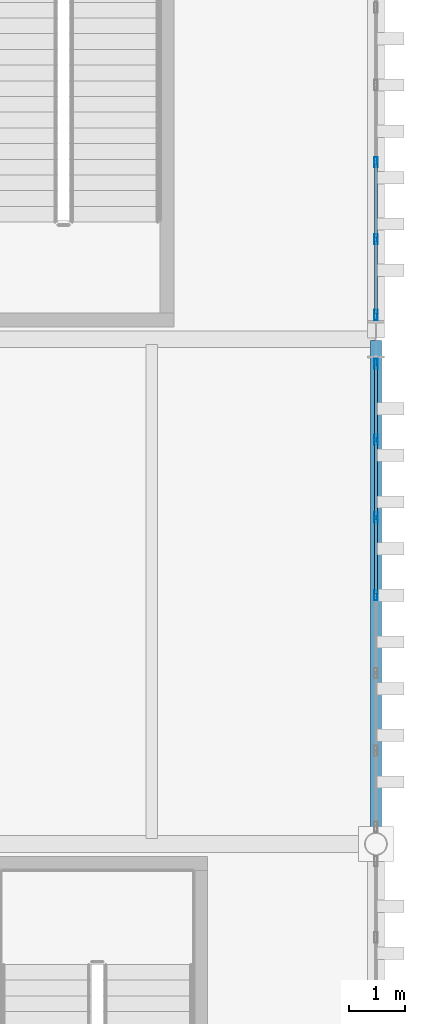
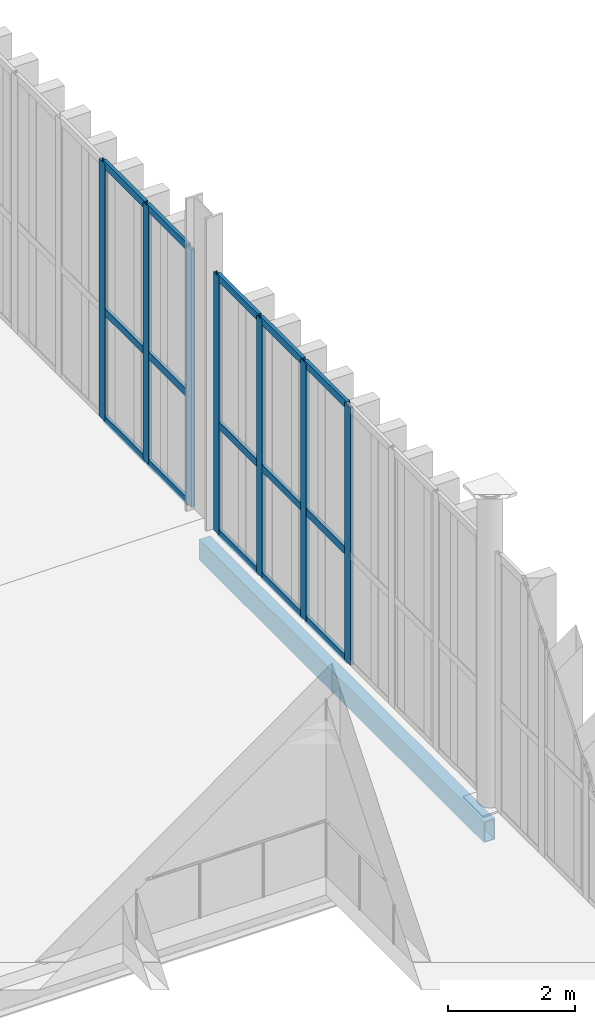
# One storey, part 106 of 211: 22 members, 1 beam, 2 elements without a shape of their own.
"""IFC4 building model written with IfcOpenShell, lengths in metres."""

import ifcopenshell
import ifcopenshell.guid

model = None  # the IFC model being written
_history = None  # IfcOwnerHistory: only IFC2X3 demands one
_inside = {}  # id of a spatial element -> (the spatial element, [elements in it])
_under = {}  # id of a project, library or spatial element -> (it, [spatial elements below it])
_declared = {}  # id of a project -> (the project, [libraries it declares])
_typed = {}  # id of a type object -> (the type object, [elements of that type])
_made_of = {}  # id of a material, layer set ... -> (it, [elements and type objects made of it])


def new_model(schema):
    """Start an empty IFC model of exactly this schema.

    Asked for "IFC4X3", IfcOpenShell would pick the latest addendum, in which some entities
    have other attributes; the version numbers below select the first issue.
    IFC2X3 requires an IfcOwnerHistory on every rooted entity: one is made here for all.
    """
    global model, _history
    if schema == "IFC4X3":
        model = ifcopenshell.file(schema_version=(4, 3, 0, 0))
    else:
        model = ifcopenshell.file(schema=schema)
    _inside.clear()
    _under.clear()
    _declared.clear()
    _typed.clear()
    _made_of.clear()
    _history = None
    if model.schema == "IFC2X3":
        org = make("IfcOrganization", Name="unknown")
        user = make(
            "IfcPersonAndOrganization",
            ThePerson=make("IfcPerson", FamilyName="unknown"),
            TheOrganization=org,
        )
        app = make(
            "IfcApplication",
            ApplicationDeveloper=org,
            Version="unknown",
            ApplicationFullName="unknown",
            ApplicationIdentifier="unknown",
        )
        _history = make(
            "IfcOwnerHistory",
            OwningUser=user,
            OwningApplication=app,
            ChangeAction="ADDED",
            CreationDate=0,
        )
    return model


def make(cls, **values):
    """One entity of the class cls with the attributes given. An attribute that is None is left unset."""
    return model.create_entity(
        cls, **{name: value for name, value in values.items() if value is not None}
    )


def rooted(cls, **values):
    """An entity with a GlobalId (a new one), such as an element, a storey or a relation."""
    return make(cls, GlobalId=ifcopenshell.guid.new(), OwnerHistory=_history, **values)


def si_unit(unit_type, name, prefix=None):
    """IfcSIUnit, for example si_unit("LENGTHUNIT", "METRE", prefix="MILLI")."""
    return make("IfcSIUnit", UnitType=unit_type, Prefix=prefix, Name=name)


def assignment(units):
    """IfcUnitAssignment: the units of a project."""
    return None if units is None else make("IfcUnitAssignment", Units=units)


def point(xyz):
    """IfcCartesianPoint."""
    return None if xyz is None else make("IfcCartesianPoint", Coordinates=xyz)


def direction(xyz):
    """IfcDirection."""
    return None if xyz is None else make("IfcDirection", DirectionRatios=xyz)


def frame(location, z_axis=None, x_axis=None):
    """IfcAxis2Placement3D, a coordinate frame: its origin and axes. An axis left out is left unset."""
    return make(
        "IfcAxis2Placement3D",
        Location=point(location),
        Axis=direction(z_axis),
        RefDirection=direction(x_axis),
    )


def frame_2d(location, x_axis=None):
    """IfcAxis2Placement2D, a coordinate frame in the plane: its origin and x axis."""
    return make(
        "IfcAxis2Placement2D", Location=point(location), RefDirection=direction(x_axis)
    )


def origin():
    """The frame at (0, 0, 0) with its axes left unset."""
    return frame((0.0, 0.0, 0.0))


def origin_2d():
    """The frame at (0, 0) in the plane with its x axis left unset."""
    return frame_2d((0.0, 0.0))


def place(relative_to, where):
    """IfcLocalPlacement: puts the frame where relative to a parent placement (None: the world)."""
    return make(
        "IfcLocalPlacement", PlacementRelTo=relative_to, RelativePlacement=where
    )


def context(
    kind, dimensions, precision=None, world=None, true_north=None, identifier=None
):
    """IfcGeometricRepresentationContext, for example the 3D "Model" context."""
    return make(
        "IfcGeometricRepresentationContext",
        ContextIdentifier=identifier,
        ContextType=kind,
        CoordinateSpaceDimension=dimensions,
        Precision=precision,
        WorldCoordinateSystem=world,
        TrueNorth=true_north,
    )


def subcontext(parent, identifier, kind, view, scale=None):
    """IfcGeometricRepresentationSubContext, for example "Body" below "Model"."""
    return make(
        "IfcGeometricRepresentationSubContext",
        ContextIdentifier=identifier,
        ContextType=kind,
        ParentContext=parent,
        TargetScale=scale,
        TargetView=view,
    )


def project(units=None, contexts=None):
    """IfcProject with its units and contexts."""
    return rooted(
        "IfcProject",
        Name="project",
        RepresentationContexts=contexts,
        UnitsInContext=assignment(units),
    )


def spatial(cls, under=None, at=None, **own):
    """A site, building, storey or space (cls), placed at a placement, below another one or the project."""
    s = rooted(cls, ObjectPlacement=at, **own)
    if under is not None:
        _under.setdefault(under.id(), (under, []))[1].append(s)
    return s


def profile(cls, at=None, kind="AREA", **sizes):
    """A parametric profile (cls). Its sizes go by their IFC names, for example OverallWidth=200.0."""
    return make(cls, ProfileType=kind, Position=at, **sizes)


def hollow_rectangle(**sizes):
    """IfcRectangleHollowProfileDef."""
    return profile("IfcRectangleHollowProfileDef", **sizes)


def extrude(swept, where, along, depth):
    """IfcExtrudedAreaSolid: the profile swept, set in the frame where, extruded along a direction by depth."""
    return make(
        "IfcExtrudedAreaSolid",
        SweptArea=swept,
        Position=where,
        ExtrudedDirection=direction(along),
        Depth=depth,
    )


def shape(context_of_items, identifier, shape_type, items):
    """IfcShapeRepresentation: the items that make up one representation, for example the "Body"."""
    return make(
        "IfcShapeRepresentation",
        ContextOfItems=context_of_items,
        RepresentationIdentifier=identifier,
        RepresentationType=shape_type,
        Items=items,
    )


def material(Name=None, Category=None):
    """IfcMaterial."""
    return make("IfcMaterial", Name=Name, Category=Category)


def layer(
    of_material, thickness, ventilated=None, Name=None, Category=None, Priority=None
):
    """IfcMaterialLayer: one layer of a wall or slab, of a material (None: an air gap)."""
    return make(
        "IfcMaterialLayer",
        Material=of_material,
        LayerThickness=thickness,
        IsVentilated=ventilated,
        Name=Name,
        Category=Category,
        Priority=Priority,
    )


def layer_set(layers, Name=None):
    """IfcMaterialLayerSet."""
    return make("IfcMaterialLayerSet", MaterialLayers=layers, LayerSetName=Name)


def material_profile(
    of_material, cross_section, Name=None, Category=None, Priority=None
):
    """IfcMaterialProfile: a cross section and its material."""
    return make(
        "IfcMaterialProfile",
        Name=Name,
        Material=of_material,
        Profile=cross_section,
        Priority=Priority,
        Category=Category,
    )


def profile_set(profiles, Name=None, composite=None):
    """IfcMaterialProfileSet."""
    return make(
        "IfcMaterialProfileSet",
        Name=Name,
        MaterialProfiles=profiles,
        CompositeProfile=composite,
    )


def made_of(thing, what):
    """Note that an element or type object is made of a material, layer set ...; save() writes the relation."""
    if what is not None:
        _made_of.setdefault(what.id(), (what, []))[1].append(thing)
    return thing


def type_object(cls, material=None, **own):
    """A type object (cls), such as IfcWallType, which elements share."""
    return made_of(rooted(cls, **own), material)


def element(
    cls,
    number,
    at=None,
    inside=None,
    cuts=None,
    type_object=None,
    material=None,
    context=None,
    identifier="Body",
    shape_type=None,
    held_by="IfcProductDefinitionShape",
    body=None,
    shapes=None,
    **own,
):
    """One element of the class cls, such as IfcWall. Its Tag is "e" and its number.

    at: its placement. inside: the storey or other place that contains it. cuts: it is an
    opening in that element (IfcRelVoidsElement). A single representation is given by context,
    identifier, shape_type and body (its items); several are given by shapes. held_by: the class
    of the entity that holds the representations. save() writes the other relations.
    """
    e = rooted(cls, Tag="e%d" % number, ObjectPlacement=at, **own)
    if body is not None:
        shapes = [shape(context, identifier, shape_type, body)]
    if shapes is not None:
        e.Representation = make(held_by, Representations=shapes)
    if inside is not None:
        _inside.setdefault(inside.id(), (inside, []))[1].append(e)
    if cuts is not None:
        rooted(
            "IfcRelVoidsElement", RelatingBuildingElement=cuts, RelatedOpeningElement=e
        )
    if type_object is not None:
        _typed.setdefault(type_object.id(), (type_object, []))[1].append(e)
    return made_of(e, material)


def aggregate(whole, parts):
    """IfcRelAggregates: a whole, such as a stair, and the parts it consists of."""
    return rooted("IfcRelAggregates", RelatingObject=whole, RelatedObjects=parts)


def save(model, path):
    """Write the relations noted so far, then the file.

    IfcRelAggregates (storeys below a building ...), IfcRelContainedInSpatialStructure (elements
    in a storey), IfcRelDefinesByType, IfcRelAssociatesMaterial and IfcRelDeclares: one each for
    every whole, place, type object, material and project.
    """
    for whole, parts in _under.values():
        aggregate(whole, parts)
    for where, things in _inside.values():
        rooted(
            "IfcRelContainedInSpatialStructure",
            RelatedElements=things,
            RelatingStructure=where,
        )
    for kind, things in _typed.values():
        rooted("IfcRelDefinesByType", RelatedObjects=things, RelatingType=kind)
    for what, things in _made_of.values():
        rooted("IfcRelAssociatesMaterial", RelatedObjects=things, RelatingMaterial=what)
    for by, libraries in _declared.values():
        rooted("IfcRelDeclares", RelatingContext=by, RelatedDefinitions=libraries)
    model.write(path)


model = new_model("IFC4")

# Units and contexts
model_context = context("Model", 3, precision=1e-05, world=origin(), true_north=direction((0.0, 1.0)))
body_context = subcontext(model_context, "Body", "Model", "MODEL_VIEW")
ifc_project = project(units=[si_unit("LENGTHUNIT", "METRE"), si_unit("AREAUNIT", "SQUARE_METRE"), si_unit("VOLUMEUNIT", "CUBIC_METRE"), si_unit("PLANEANGLEUNIT", "RADIAN"), si_unit("MASSUNIT", "GRAM", prefix="KILO")], contexts=[model_context])

# Site, building, storey
site_placement = place(None, origin())
site = spatial("IfcSite", under=ifc_project, at=site_placement, CompositionType="ELEMENT")
building_placement = place(site_placement, origin())
building = spatial("IfcBuilding", under=site, at=building_placement, Name="Barlavento Convention Centre", CompositionType="ELEMENT")
storey_placement = place(building_placement, frame((0.0, 0.0, 6.0)))
storey = spatial("IfcBuildingStorey", under=building, at=storey_placement, Name="L01", CompositionType="ELEMENT", Elevation=6.0)

# Curtain wall, members
ifc_material_1 = material(Name="Powder-coated aluminium and Low-E glass", Category="aluminium")
ifc_layer = layer(ifc_material_1, 0.195068359375)
ifc_layer_set = layer_set([ifc_layer], Name="ARC-CW-FOY-L01")
curtain_wall_type = type_object("IfcCurtainWallType", Name="ARC-CW-FOY-L01", PredefinedType="NOTDEFINED", material=ifc_layer_set)
curtain_wall_1_placement = place(storey_placement, origin())
curtain_wall_1 = element("IfcCurtainWall", 1, at=curtain_wall_1_placement, inside=storey, type_object=curtain_wall_type, Name="L01 unitised curtain wall CW03", PredefinedType="NOTDEFINED")
ifc_material_2 = material(Name="Powder-coated aluminium", Category="aluminium")
ifc_material_profile_1 = material_profile(ifc_material_2, hollow_rectangle(XDim=0.06005859375, YDim=0.179931640625, WallThickness=0.0048828125, at=origin_2d()), Name="AL-MULL 60x180x5")
ifc_profile_set_1 = profile_set([ifc_material_profile_1], Name="Powder-coated aluminium")
member_type_1 = type_object("IfcMemberType", Name="ARC-CWM-60X180", PredefinedType="MULLION", material=ifc_profile_set_1)
member_1_placement = place(storey_placement, frame((192.0, 49.4345703125, 0.0), z_axis=(0.0, 0.0, 1.0), x_axis=(-1.0, 0.0, 0.0)))
member_1 = element("IfcMember", 2, at=member_1_placement, type_object=member_type_1, Name="CW03 mullion 4", PredefinedType="MULLION", context=body_context, shape_type="SweptSolid", body=[
    extrude(hollow_rectangle(XDim=0.06005859375, YDim=0.179931640625, WallThickness=0.0048828125, at=origin_2d()), origin(), (0.0, 0.0, 1.0), 4.949951171875),
])
member_2_placement = place(storey_placement, frame((192.0, 50.82177734375, 0.0), z_axis=(0.0, 0.0, 1.0), x_axis=(-1.0, 0.0, 0.0)))
member_2 = element("IfcMember", 3, at=member_2_placement, type_object=member_type_1, Name="CW03 mullion 5", PredefinedType="MULLION", context=body_context, shape_type="SweptSolid", body=[
    extrude(hollow_rectangle(XDim=0.06005859375, YDim=0.179931640625, WallThickness=0.0048828125, at=origin_2d()), origin(), (0.0, 0.0, 1.0), 4.949951171875),
])
member_3_placement = place(storey_placement, frame((192.0, 52.208984375, 0.0), z_axis=(0.0, 0.0, 1.0), x_axis=(-1.0, 0.0, 0.0)))
member_3 = element("IfcMember", 4, at=member_3_placement, type_object=member_type_1, Name="CW03 mullion 6", PredefinedType="MULLION", context=body_context, shape_type="SweptSolid", body=[
    extrude(hollow_rectangle(XDim=0.06005859375, YDim=0.179931640625, WallThickness=0.0048828125, at=origin_2d()), origin(), (0.0, 0.0, 1.0), 4.949951171875),
])
member_4_placement = place(storey_placement, frame((192.0, 53.56591796875, 0.0), z_axis=(0.0, 0.0, 1.0), x_axis=(-1.0, 0.0, 0.0)))
member_4 = element("IfcMember", 5, at=member_4_placement, type_object=member_type_1, Name="CW03 mullion 7", PredefinedType="MULLION", context=body_context, shape_type="SweptSolid", body=[
    extrude(hollow_rectangle(XDim=0.06005859375, YDim=0.179931640625, WallThickness=0.0048828125, at=origin_2d()), origin(), (0.0, 0.0, 1.0), 4.949951171875),
])

curtain_wall_2_placement = place(storey_placement, origin())
curtain_wall_2 = element("IfcCurtainWall", 6, at=curtain_wall_2_placement, inside=storey, type_object=curtain_wall_type, Name="L01 unitised curtain wall CW03", PredefinedType="NOTDEFINED")
member_5_placement = place(storey_placement, frame((192.0, 54.43408203125, 0.0), z_axis=(0.0, 0.0, 1.0), x_axis=(-1.0, 0.0, 0.0)))
member_5 = element("IfcMember", 7, at=member_5_placement, type_object=member_type_1, Name="CW03 mullion 1", PredefinedType="MULLION", context=body_context, shape_type="SweptSolid", body=[
    extrude(hollow_rectangle(XDim=0.06005859375, YDim=0.179931640625, WallThickness=0.0048828125, at=origin_2d()), origin(), (0.0, 0.0, 1.0), 4.949951171875),
])
member_6_placement = place(storey_placement, frame((192.0, 55.78125, 0.0), z_axis=(0.0, 0.0, 1.0), x_axis=(-1.0, 0.0, 0.0)))
member_6 = element("IfcMember", 8, at=member_6_placement, type_object=member_type_1, Name="CW03 mullion 2", PredefinedType="MULLION", context=body_context, shape_type="SweptSolid", body=[
    extrude(hollow_rectangle(XDim=0.06005859375, YDim=0.179931640625, WallThickness=0.0048828125, at=origin_2d()), origin(), (0.0, 0.0, 1.0), 4.949951171875),
])
member_7_placement = place(storey_placement, frame((192.0, 57.15869140625, 0.0), z_axis=(0.0, 0.0, 1.0), x_axis=(-1.0, 0.0, 0.0)))
member_7 = element("IfcMember", 9, at=member_7_placement, type_object=member_type_1, Name="CW03 mullion 3", PredefinedType="MULLION", context=body_context, shape_type="SweptSolid", body=[
    extrude(hollow_rectangle(XDim=0.06005859375, YDim=0.179931640625, WallThickness=0.0048828125, at=origin_2d()), origin(), (0.0, 0.0, 1.0), 4.949951171875),
])

# Member
ifc_material_profile_2 = material_profile(ifc_material_2, hollow_rectangle(XDim=0.06005859375, YDim=0.139892578125, WallThickness=0.00390625, at=origin_2d()), Name="AL-TRAN 60x140x4")
ifc_profile_set_2 = profile_set([ifc_material_profile_2], Name="Powder-coated aluminium")
member_type_2 = type_object("IfcMemberType", Name="ARC-CWT-60X140", PredefinedType="USERDEFINED", material=ifc_profile_set_2)
member_8_placement = place(storey_placement, frame((192.0, 49.464599609375, 0.030029296875), z_axis=(0.0, 1.0, 0.0), x_axis=(-1.0, 0.0, 0.0)))
member_8 = element("IfcMember", 10, at=member_8_placement, type_object=member_type_2, Name="CW03 transom 4.1", ObjectType="TRANSOM", PredefinedType="USERDEFINED", context=body_context, shape_type="SweptSolid", body=[
    extrude(hollow_rectangle(XDim=0.06005859375, YDim=0.139892578125, WallThickness=0.00390625, at=origin_2d()), origin(), (0.0, 0.0, 1.0), 1.3271484375),
])

member_9_placement = place(storey_placement, frame((192.0, 49.464599609375, 2.10009765625), z_axis=(0.0, 1.0, 0.0), x_axis=(-1.0, 0.0, 0.0)))
member_9 = element("IfcMember", 11, at=member_9_placement, type_object=member_type_2, Name="CW03 transom 4.2", ObjectType="TRANSOM", PredefinedType="USERDEFINED", context=body_context, shape_type="SweptSolid", body=[
    extrude(hollow_rectangle(XDim=0.06005859375, YDim=0.139892578125, WallThickness=0.00390625, at=origin_2d()), origin(), (0.0, 0.0, 1.0), 1.3271484375),
])

member_10_placement = place(storey_placement, frame((192.0, 49.464599609375, 4.919921875), z_axis=(0.0, 1.0, 0.0), x_axis=(-1.0, 0.0, 0.0)))
member_10 = element("IfcMember", 12, at=member_10_placement, type_object=member_type_2, Name="CW03 transom 4.3", ObjectType="TRANSOM", PredefinedType="USERDEFINED", context=body_context, shape_type="SweptSolid", body=[
    extrude(hollow_rectangle(XDim=0.06005859375, YDim=0.139892578125, WallThickness=0.00390625, at=origin_2d()), origin(), (0.0, 0.0, 1.0), 1.3271484375),
])

member_11_placement = place(storey_placement, frame((192.0, 50.851806640625, 0.030029296875), z_axis=(0.0, 1.0, 0.0), x_axis=(-1.0, 0.0, 0.0)))
member_11 = element("IfcMember", 13, at=member_11_placement, type_object=member_type_2, Name="CW03 transom 5.1", ObjectType="TRANSOM", PredefinedType="USERDEFINED", context=body_context, shape_type="SweptSolid", body=[
    extrude(hollow_rectangle(XDim=0.06005859375, YDim=0.139892578125, WallThickness=0.00390625, at=origin_2d()), origin(), (0.0, 0.0, 1.0), 1.3271484375),
])

member_12_placement = place(storey_placement, frame((192.0, 50.851806640625, 2.10009765625), z_axis=(0.0, 1.0, 0.0), x_axis=(-1.0, 0.0, 0.0)))
member_12 = element("IfcMember", 14, at=member_12_placement, type_object=member_type_2, Name="CW03 transom 5.2", ObjectType="TRANSOM", PredefinedType="USERDEFINED", context=body_context, shape_type="SweptSolid", body=[
    extrude(hollow_rectangle(XDim=0.06005859375, YDim=0.139892578125, WallThickness=0.00390625, at=origin_2d()), origin(), (0.0, 0.0, 1.0), 1.3271484375),
])

member_13_placement = place(storey_placement, frame((192.0, 50.851806640625, 4.919921875), z_axis=(0.0, 1.0, 0.0), x_axis=(-1.0, 0.0, 0.0)))
member_13 = element("IfcMember", 15, at=member_13_placement, type_object=member_type_2, Name="CW03 transom 5.3", ObjectType="TRANSOM", PredefinedType="USERDEFINED", context=body_context, shape_type="SweptSolid", body=[
    extrude(hollow_rectangle(XDim=0.06005859375, YDim=0.139892578125, WallThickness=0.00390625, at=origin_2d()), origin(), (0.0, 0.0, 1.0), 1.3271484375),
])

member_14_placement = place(storey_placement, frame((192.0, 52.23876953125, 0.030029296875), z_axis=(0.0, 1.0, 0.0), x_axis=(-1.0, 0.0, 0.0)))
member_14 = element("IfcMember", 16, at=member_14_placement, type_object=member_type_2, Name="CW03 transom 6.1", ObjectType="TRANSOM", PredefinedType="USERDEFINED", context=body_context, shape_type="SweptSolid", body=[
    extrude(hollow_rectangle(XDim=0.06005859375, YDim=0.139892578125, WallThickness=0.00390625, at=origin_2d()), origin(), (0.0, 0.0, 1.0), 1.297119140625),
])

member_15_placement = place(storey_placement, frame((192.0, 52.23876953125, 2.10009765625), z_axis=(0.0, 1.0, 0.0), x_axis=(-1.0, 0.0, 0.0)))
member_15 = element("IfcMember", 17, at=member_15_placement, type_object=member_type_2, Name="CW03 transom 6.2", ObjectType="TRANSOM", PredefinedType="USERDEFINED", context=body_context, shape_type="SweptSolid", body=[
    extrude(hollow_rectangle(XDim=0.06005859375, YDim=0.139892578125, WallThickness=0.00390625, at=origin_2d()), origin(), (0.0, 0.0, 1.0), 1.297119140625),
])

member_16_placement = place(storey_placement, frame((192.0, 52.23876953125, 4.919921875), z_axis=(0.0, 1.0, 0.0), x_axis=(-1.0, 0.0, 0.0)))
member_16 = element("IfcMember", 18, at=member_16_placement, type_object=member_type_2, Name="CW03 transom 6.3", ObjectType="TRANSOM", PredefinedType="USERDEFINED", context=body_context, shape_type="SweptSolid", body=[
    extrude(hollow_rectangle(XDim=0.06005859375, YDim=0.139892578125, WallThickness=0.00390625, at=origin_2d()), origin(), (0.0, 0.0, 1.0), 1.297119140625),
])

aggregate(curtain_wall_1, [member_1, member_2, member_3, member_4, member_8, member_9, member_10, member_11, member_12, member_13, member_14, member_15, member_16])

member_17_placement = place(storey_placement, frame((192.0, 54.464111328125, 0.030029296875), z_axis=(0.0, 1.0, 0.0), x_axis=(-1.0, 0.0, 0.0)))
member_17 = element("IfcMember", 19, at=member_17_placement, type_object=member_type_2, Name="CW03 transom 1.1", ObjectType="TRANSOM", PredefinedType="USERDEFINED", context=body_context, shape_type="SweptSolid", body=[
    extrude(hollow_rectangle(XDim=0.06005859375, YDim=0.139892578125, WallThickness=0.00390625, at=origin_2d()), origin(), (0.0, 0.0, 1.0), 1.287109375),
])

member_18_placement = place(storey_placement, frame((192.0, 54.464111328125, 2.10009765625), z_axis=(0.0, 1.0, 0.0), x_axis=(-1.0, 0.0, 0.0)))
member_18 = element("IfcMember", 20, at=member_18_placement, type_object=member_type_2, Name="CW03 transom 1.2", ObjectType="TRANSOM", PredefinedType="USERDEFINED", context=body_context, shape_type="SweptSolid", body=[
    extrude(hollow_rectangle(XDim=0.06005859375, YDim=0.139892578125, WallThickness=0.00390625, at=origin_2d()), origin(), (0.0, 0.0, 1.0), 1.287109375),
])

member_19_placement = place(storey_placement, frame((192.0, 54.464111328125, 4.919921875), z_axis=(0.0, 1.0, 0.0), x_axis=(-1.0, 0.0, 0.0)))
member_19 = element("IfcMember", 21, at=member_19_placement, type_object=member_type_2, Name="CW03 transom 1.3", ObjectType="TRANSOM", PredefinedType="USERDEFINED", context=body_context, shape_type="SweptSolid", body=[
    extrude(hollow_rectangle(XDim=0.06005859375, YDim=0.139892578125, WallThickness=0.00390625, at=origin_2d()), origin(), (0.0, 0.0, 1.0), 1.287109375),
])

member_20_placement = place(storey_placement, frame((192.0, 55.811279296875, 0.030029296875), z_axis=(0.0, 1.0, 0.0), x_axis=(-1.0, 0.0, 0.0)))
member_20 = element("IfcMember", 22, at=member_20_placement, type_object=member_type_2, Name="CW03 transom 2.1", ObjectType="TRANSOM", PredefinedType="USERDEFINED", context=body_context, shape_type="SweptSolid", body=[
    extrude(hollow_rectangle(XDim=0.06005859375, YDim=0.139892578125, WallThickness=0.00390625, at=origin_2d()), origin(), (0.0, 0.0, 1.0), 1.3173828125),
])

member_21_placement = place(storey_placement, frame((192.0, 55.811279296875, 2.10009765625), z_axis=(0.0, 1.0, 0.0), x_axis=(-1.0, 0.0, 0.0)))
member_21 = element("IfcMember", 23, at=member_21_placement, type_object=member_type_2, Name="CW03 transom 2.2", ObjectType="TRANSOM", PredefinedType="USERDEFINED", context=body_context, shape_type="SweptSolid", body=[
    extrude(hollow_rectangle(XDim=0.06005859375, YDim=0.139892578125, WallThickness=0.00390625, at=origin_2d()), origin(), (0.0, 0.0, 1.0), 1.3173828125),
])

member_22_placement = place(storey_placement, frame((192.0, 55.811279296875, 4.919921875), z_axis=(0.0, 1.0, 0.0), x_axis=(-1.0, 0.0, 0.0)))
member_22 = element("IfcMember", 24, at=member_22_placement, type_object=member_type_2, Name="CW03 transom 2.3", ObjectType="TRANSOM", PredefinedType="USERDEFINED", context=body_context, shape_type="SweptSolid", body=[
    extrude(hollow_rectangle(XDim=0.06005859375, YDim=0.139892578125, WallThickness=0.00390625, at=origin_2d()), origin(), (0.0, 0.0, 1.0), 1.3173828125),
])

aggregate(curtain_wall_2, [member_5, member_6, member_7, member_17, member_18, member_19, member_20, member_21, member_22])

# Beam
ifc_material_3 = material(Name="Steel S355", Category="steel")
ifc_material_profile_3 = material_profile(ifc_material_3, hollow_rectangle(XDim=0.199951171875, YDim=0.39990234375, WallThickness=0.01611328125, at=origin_2d()), Name="RHS 400x200x16.0")
ifc_profile_set_3 = profile_set([ifc_material_profile_3], Name="Steel S355")
beam_type = type_object("IfcBeamType", Name="STR-BM-SPN-RHS400", PredefinedType="SPANDREL", material=ifc_profile_set_3)
beam_placement = place(storey_placement, frame((192.0, 45.02001953125, -0.56005859375), z_axis=(0.0, 1.0, 0.0), x_axis=(-1.0, 0.0, 0.0)))
element("IfcBeam", 25, at=beam_placement, inside=storey, type_object=beam_type, Name="L01 grid girder SP06", PredefinedType="SPANDREL", context=body_context, shape_type="SweptSolid", body=[
    extrude(hollow_rectangle(XDim=0.199951171875, YDim=0.39990234375, WallThickness=0.01611328125, at=origin_2d()), origin(), (0.0, 0.0, 1.0), 8.9599609375),
])

save(model, "model.ifc")
